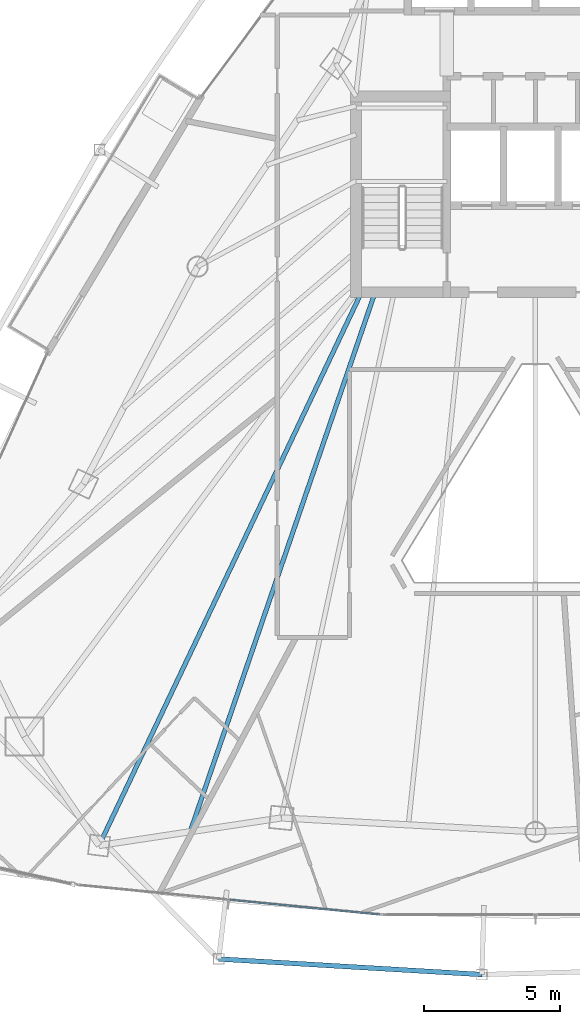
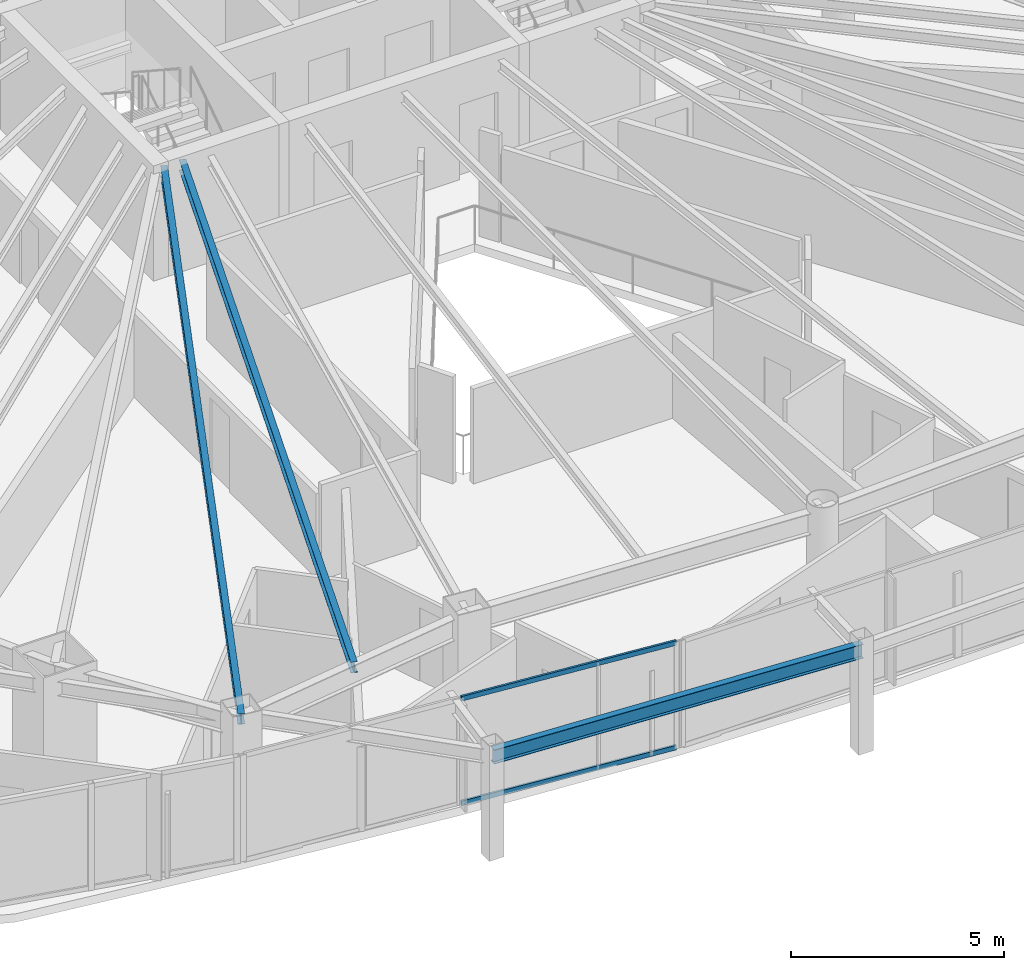
# One storey, part 6 of 29: 3 beams, 2 members, 1 element without a shape of its own.
"""IFC4 building model written with IfcOpenShell, lengths in metres."""

from ifc_helpers import new_model, si_unit, direction, frame, origin, origin_2d, place, context, subcontext, project, spatial, hollow_rectangle, i_section, extrude, material, layer, layer_set, material_profile, profile_set, type_object, element, aggregate, save


model = new_model("IFC4")

# Units and contexts
model_context = context("Model", 3, precision=1e-05, world=origin(), true_north=direction((0.0, 1.0)))
body_context = subcontext(model_context, "Body", "Model", "MODEL_VIEW")
ifc_project = project(units=[si_unit("LENGTHUNIT", "METRE"), si_unit("AREAUNIT", "SQUARE_METRE"), si_unit("VOLUMEUNIT", "CUBIC_METRE"), si_unit("PLANEANGLEUNIT", "RADIAN"), si_unit("MASSUNIT", "GRAM", prefix="KILO")], contexts=[model_context])

# Site, building, storey
site_placement = place(None, origin())
site = spatial("IfcSite", under=ifc_project, at=site_placement, CompositionType="ELEMENT")
building_placement = place(site_placement, origin())
building = spatial("IfcBuilding", under=site, at=building_placement, Name="Orvanel Arch Residences", CompositionType="ELEMENT")
storey_placement = place(building_placement, frame((0.0, 0.0, 160.550048828125)))
storey = spatial("IfcBuildingStorey", under=building, at=storey_placement, Name="L45", CompositionType="ELEMENT", Elevation=160.550048828125)

# Beams
ifc_material_1 = material(Name="Structural steel AS/NZS 3679.1 Grade 300 (300 MPa)", Category="steel")
ifc_material_profile_1 = material_profile(ifc_material_1, i_section(OverallWidth=0.1650390625, OverallDepth=0.303955078125, WebThickness=0.006103515625, FlangeThickness=0.01025390625, at=origin_2d()), Name="310UB40.4")
ifc_profile_set_1 = profile_set([ifc_material_profile_1], Name="Structural steel AS/NZS 3679.1 Grade 300 (300 MPa)")
beam_type_1 = type_object("IfcBeamType", Name="BJ-310UB", PredefinedType="JOIST", material=ifc_profile_set_1)
beam_1_placement = place(storey_placement, frame((26.60009765625, 26.699951171875, 2.907958984375), z_axis=(-0.428614365266, -0.903487534993, 0.0), x_axis=(0.903487534993, -0.428614365266, 0.0)))
element("IfcBeam", 1, at=beam_1_placement, inside=storey, type_object=beam_type_1, Name="L45 MSW Wing Floor Joist", PredefinedType="JOIST", context=body_context, shape_type="SweptSolid", body=[
    extrude(i_section(OverallWidth=0.1650390625, OverallDepth=0.303955078125, WebThickness=0.006103515625, FlangeThickness=0.01025390625, at=origin_2d()), origin(), (0.0, 0.0, 1.0), 22.535888671875),
])
beam_2_placement = place(storey_placement, frame((27.10009765625, 26.699951171875, 2.907958984375), z_axis=(-0.324257108963, -0.945968988544, 0.0), x_axis=(0.945968988544, -0.324257108963, 0.0)))
element("IfcBeam", 2, at=beam_2_placement, inside=storey, type_object=beam_type_1, Name="L45 JADD1 Wing Floor Joist", PredefinedType="JOIST", context=body_context, shape_type="SweptSolid", body=[
    extrude(i_section(OverallWidth=0.1650390625, OverallDepth=0.303955078125, WebThickness=0.006103515625, FlangeThickness=0.01025390625, at=origin_2d()), origin(), (0.0, 0.0, 1.0), 20.987060546875),
])
ifc_material_profile_2 = material_profile(ifc_material_1, i_section(OverallWidth=0.177978515625, OverallDepth=0.406005859375, WebThickness=0.0078125, FlangeThickness=0.0126953125, at=origin_2d()), Name="410UB59.7")
ifc_profile_set_2 = profile_set([ifc_material_profile_2], Name="Structural steel AS/NZS 3679.1 Grade 300 (300 MPa)")
beam_type_2 = type_object("IfcBeamType", Name="OB-410UB-EXT", PredefinedType="SPANDREL", material=ifc_profile_set_2)
beam_3_placement = place(storey_placement, frame((21.345947265625, 2.1640625, 2.85693359375), z_axis=(0.998254445166, -0.059059823111, 0.0), x_axis=(0.059059823111, 0.998254445166, 0.0)))
element("IfcBeam", 3, at=beam_3_placement, inside=storey, type_object=beam_type_2, Name="L45 Outer Perimeter Floor Ring Beam 05", PredefinedType="SPANDREL", context=body_context, shape_type="SweptSolid", body=[
    extrude(i_section(OverallWidth=0.177978515625, OverallDepth=0.406005859375, WebThickness=0.0078125, FlangeThickness=0.0126953125, at=origin_2d()), origin(), (0.0, 0.0, 1.0), 9.701904296875),
])

# Curtain wall, members
ifc_material_2 = material(Name="Bronze-anodised aluminium AA6063-T6", Category="aluminium")
ifc_layer = layer(ifc_material_2, 0.179931640625)
ifc_layer_set = layer_set([ifc_layer], Name="Bronze-anodised aluminium AA6063-T6")
curtain_wall_type = type_object("IfcCurtainWallType", Name="CW3-MID-SYS", PredefinedType="NOTDEFINED", material=ifc_layer_set)
curtain_wall_placement = place(storey_placement, origin())
curtain_wall = element("IfcCurtainWall", 4, at=curtain_wall_placement, inside=storey, type_object=curtain_wall_type, Name="L45 CW3-MID-SYS Unitised Curtain Wall", PredefinedType="NOTDEFINED")
ifc_material_profile_3 = material_profile(ifc_material_2, hollow_rectangle(XDim=0.06005859375, YDim=0.135009765625, WallThickness=0.00390625, at=origin_2d()), Name="ALU135x60x4")
ifc_profile_set_3 = profile_set([ifc_material_profile_3], Name="Bronze-anodised aluminium AA6063-T6")
member_type = type_object("IfcMemberType", Name="TRN-135x60", PredefinedType="USERDEFINED", material=ifc_profile_set_3)
member_1_placement = place(storey_placement, frame((21.75244140625, 4.341064453125, 0.030029296875), z_axis=(0.995255824689, -0.097292566125, 0.0), x_axis=(0.097292566125, 0.995255824689, 0.0)))
member_1 = element("IfcMember", 5, at=member_1_placement, type_object=member_type, Name="CW-S3 transom 2.1", ObjectType="TRANSOM", PredefinedType="USERDEFINED", context=body_context, shape_type="SweptSolid", body=[
    extrude(hollow_rectangle(XDim=0.06005859375, YDim=0.135009765625, WallThickness=0.00390625, at=origin_2d()), origin(), (0.0, 0.0, 1.0), 5.543212890625),
])
member_2_placement = place(storey_placement, frame((21.75244140625, 4.341064453125, 3.030029296875), z_axis=(0.995255824689, -0.097292566125, 0.0), x_axis=(0.097292566125, 0.995255824689, 0.0)))
member_2 = element("IfcMember", 6, at=member_2_placement, type_object=member_type, Name="CW-S3 transom 2.2", ObjectType="TRANSOM", PredefinedType="USERDEFINED", context=body_context, shape_type="SweptSolid", body=[
    extrude(hollow_rectangle(XDim=0.06005859375, YDim=0.135009765625, WallThickness=0.00390625, at=origin_2d()), origin(), (0.0, 0.0, 1.0), 5.543212890625),
])
aggregate(curtain_wall, [member_1, member_2])

save(model, "model.ifc")
